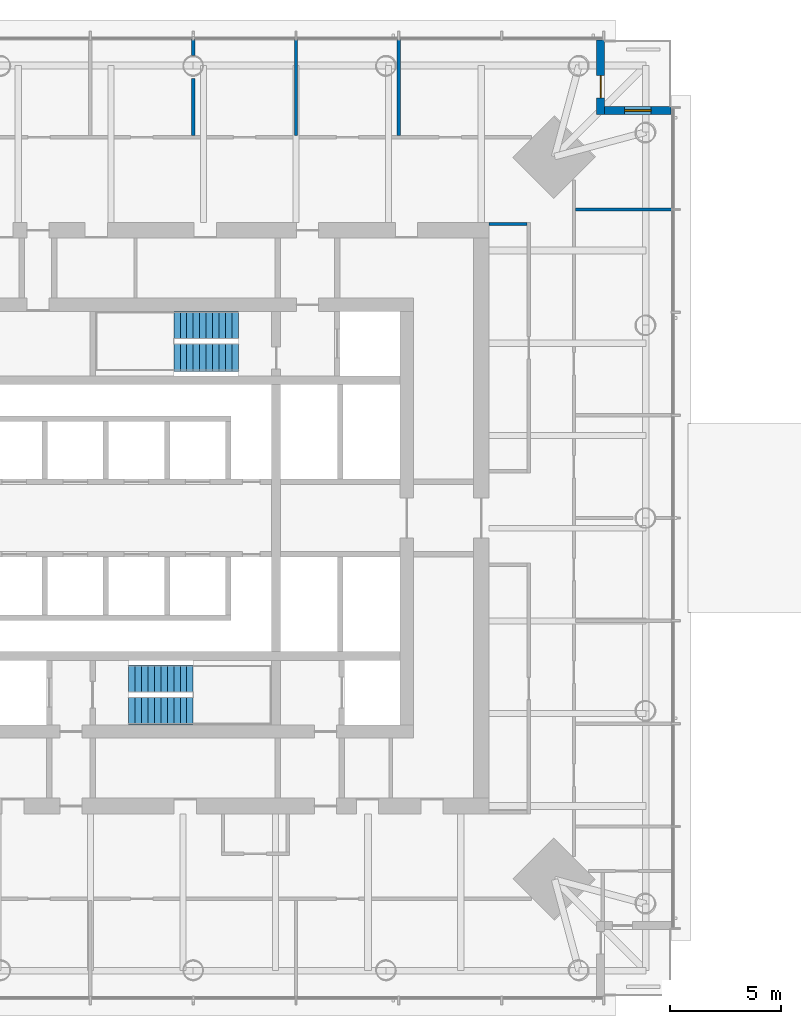
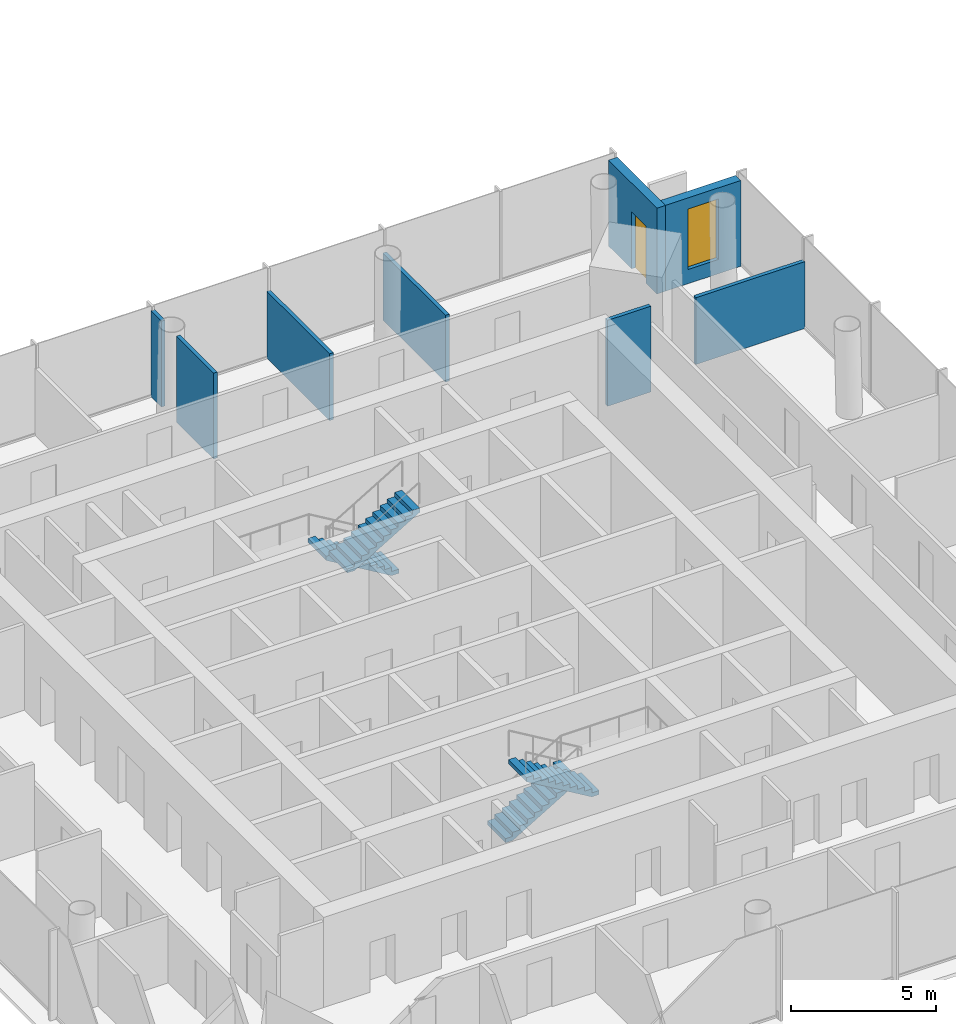
# One storey, part 9 of 16: 8 walls, 4 stair flights, 1 door, 1 window, 2 openings, 2 elements without a shape of their own.
"""IFC4 building model written with IfcOpenShell, lengths in metres."""

from ifc_helpers import new_model, si_unit, direction, frame, frame_2d, origin, place, context, subcontext, project, spatial, polyline, rectangle, outline, extrude, material, layer, layer_set, type_object, element, fill, aggregate, save


model = new_model("IFC4")

# Units and contexts
model_context = context("Model", 3, precision=1e-05, world=origin(), true_north=direction((0.0, 1.0)))
body_context = subcontext(model_context, "Body", "Model", "MODEL_VIEW")
ifc_project = project(units=[si_unit("LENGTHUNIT", "METRE"), si_unit("AREAUNIT", "SQUARE_METRE"), si_unit("VOLUMEUNIT", "CUBIC_METRE"), si_unit("PLANEANGLEUNIT", "RADIAN"), si_unit("MASSUNIT", "GRAM", prefix="KILO")], contexts=[model_context])

# Site, building, storey
site_placement = place(None, origin())
site = spatial("IfcSite", under=ifc_project, at=site_placement, CompositionType="ELEMENT")
building_placement = place(site_placement, origin())
building = spatial("IfcBuilding", under=site, at=building_placement, Name="Ostroluk Exchange", CompositionType="ELEMENT")
storey_placement = place(building_placement, frame((0.0, 0.0, 135.0)))
storey = spatial("IfcBuildingStorey", under=building, at=storey_placement, Name="L34", CompositionType="ELEMENT", Elevation=135.0)

# Wall, opening, door
ifc_material_1 = material(Name="Limestone", Category="masonry")
ifc_layer_1 = layer(ifc_material_1, 0.35009765625)
ifc_layer_set_1 = layer_set([ifc_layer_1], Name="Limestone facade wall 350")
wall_type_1 = type_object("IfcWallType", Name="Limestone facade wall 350", PredefinedType="SOLIDWALL", material=ifc_layer_set_1)
wall_1_placement = place(storey_placement, frame((63.324951171875, 67.5, 0.0), z_axis=(0.0, 0.0, 1.0), x_axis=(0.0, -1.0, 0.0)))
wall_1 = element("IfcWall", 1, at=wall_1_placement, inside=storey, type_object=wall_type_1, Name="Office tower NE corner wall L34 a", PredefinedType="SOLIDWALL", context=body_context, shape_type="SweptSolid", body=[
    extrude(rectangle(XDim=3.35009765625, YDim=0.35009765625, at=frame_2d((1.675048828125, 0.0))), origin(), (0.0, 0.0, 1.0), 3.6201171875),
])
opening_1_placement = place(wall_1_placement, frame((1.60009765625, 0.0, 0.0)))
opening_1 = element("IfcOpeningElement", 2, at=opening_1_placement, cuts=wall_1, Name="Opening D-B1", PredefinedType="OPENING", context=body_context, shape_type="SweptSolid", body=[
    extrude(rectangle(XDim=1.0, YDim=2.39990234375, at=frame_2d((0.5, 1.199951171875))), frame((0.0, 0.18505859375, 0.0), z_axis=(0.0, -1.0, 0.0), x_axis=(1.0, 0.0, 0.0)), (0.0, 0.0, 1.0), 0.3701171875),
])
ifc_material_2 = material(Name="Bronze framed glazed door", Category="aluminium")
door_type = type_object("IfcDoorType", Name="Balcony door 1000 x 2400", OperationType="SINGLE_SWING_LEFT", PredefinedType="DOOR", material=ifc_material_2)
door_placement = place(opening_1_placement, origin())
door = element("IfcDoor", 3, at=door_placement, inside=storey, type_object=door_type, Name="Office tower NE balcony door L34", OperationType="SINGLE_SWING_RIGHT", OverallHeight=2.39990234375, OverallWidth=1.0, PredefinedType="DOOR", context=body_context, shape_type="SweptSolid", body=[
    extrude(rectangle(XDim=1.0, YDim=2.39990234375, at=frame_2d((0.5, 1.199951171875))), frame((0.0, 0.02490234375, 0.0), z_axis=(0.0, -1.0, 0.0), x_axis=(1.0, 0.0, 0.0)), (0.0, 0.0, 1.0), 0.050048828125),
])
fill(opening_1, door)

# Wall, opening, window
wall_2_placement = place(storey_placement, frame((63.5, 64.324951171875, 0.0), z_axis=(0.0, 0.0, 1.0), x_axis=(1.0, 0.0, 0.0)))
wall_2 = element("IfcWall", 4, at=wall_2_placement, inside=storey, type_object=wall_type_1, Name="Office tower NE corner wall L34 b", PredefinedType="SOLIDWALL", context=body_context, shape_type="SweptSolid", body=[
    extrude(rectangle(XDim=3.0, YDim=0.35009765625, at=frame_2d((1.5, 0.0))), origin(), (0.0, 0.0, 1.0), 3.6201171875),
])
opening_2_placement = place(wall_2_placement, frame((0.89990234375, 0.0, 0.60009765625)))
opening_2 = element("IfcOpeningElement", 5, at=opening_2_placement, cuts=wall_2, Name="Opening WN-L1", PredefinedType="OPENING", context=body_context, shape_type="SweptSolid", body=[
    extrude(rectangle(XDim=1.199951171875, YDim=2.550048828125, at=frame_2d((0.60009765625, 1.27490234375))), frame((0.0, 0.18505859375, 0.0), z_axis=(0.0, -1.0, 0.0), x_axis=(1.0, 0.0, 0.0)), (0.0, 0.0, 1.0), 0.3701171875),
])
ifc_material_3 = material(Name="Laminated clear glass", Category="glass")
window_type = type_object("IfcWindowType", Name="Lancet window 1200 x 2550", PartitioningType="SINGLE_PANEL", PredefinedType="WINDOW", material=ifc_material_3)
window_placement = place(opening_2_placement, origin())
window = element("IfcWindow", 6, at=window_placement, inside=storey, type_object=window_type, Name="Office tower NE lancet window L34", OverallHeight=2.550048828125, OverallWidth=1.199951171875, PartitioningType="SINGLE_PANEL", PredefinedType="WINDOW", context=body_context, shape_type="SweptSolid", body=[
    extrude(rectangle(XDim=1.199951171875, YDim=2.550048828125, at=frame_2d((0.60009765625, 1.27490234375))), frame((0.0, 0.030029296875, 0.0), z_axis=(0.0, -1.0, 0.0), x_axis=(1.0, 0.0, 0.0)), (0.0, 0.0, 1.0), 0.06005859375),
])
fill(opening_2, window)

# Walls
ifc_material_4 = material(Name="Gypsum plasterboard partition", Category="gypsum")
ifc_layer_2 = layer(ifc_material_4, 0.14990234375)
ifc_layer_set_2 = layer_set([ifc_layer_2], Name="Plasterboard partition 150")
wall_type_2 = type_object("IfcWallType", Name="Plasterboard partition 150", PredefinedType="PARTITIONING", material=ifc_layer_set_2)
wall_3_placement = place(storey_placement, frame((58.300048828125, 59.22509765625, 0.0), z_axis=(0.0, 0.0, 1.0), x_axis=(1.0, 0.0, 0.0)))
element("IfcWall", 7, at=wall_3_placement, inside=storey, type_object=wall_type_2, Name="Partition", PredefinedType="PARTITIONING", context=body_context, shape_type="SweptSolid", body=[
    extrude(rectangle(XDim=1.724853515625, YDim=0.14990234375, at=frame_2d((0.8623046875, 0.0))), origin(), (0.0, 0.0, 1.0), 3.6201171875),
])
for number, where, z_axis, x_axis, name in (
    (8, (62.199951171875, 59.875, 0.0), (0.0, 0.0, 1.0), (1.0, 0.0, 0.0), "Partition"),
    (9, (54.25, 63.199951171875, 0.0), (0.0, 0.0, 1.0), (0.0, 1.0, 0.0), "Partition"),
    (10, (49.625, 63.199951171875, 0.0), (0.0, 0.0, 1.0), (0.0, 1.0, 0.0), "Partition"),
):
    element("IfcWall", number, at=place(storey_placement, frame(where, z_axis=z_axis, x_axis=x_axis)), inside=storey, type_object=wall_type_2, Name=name, PredefinedType="PARTITIONING", context=body_context, shape_type="SweptSolid", body=[
        extrude(rectangle(XDim=4.340087890625, YDim=0.14990234375, at=frame_2d((2.169921875, 0.0))), origin(), (0.0, 0.0, 1.0), 2.820068359375),
    ])
wall_4_placement = place(storey_placement, frame((45.0, 63.199951171875, 0.0), z_axis=(0.0, 0.0, 1.0), x_axis=(0.0, 1.0, 0.0)))
element("IfcWall", 11, at=wall_4_placement, inside=storey, type_object=wall_type_2, Name="Partition", PredefinedType="PARTITIONING", context=body_context, shape_type="SweptSolid", body=[
    extrude(rectangle(XDim=2.578857421875, YDim=0.14990234375, at=frame_2d((1.28955078125, 0.0))), origin(), (0.0, 0.0, 1.0), 3.6201171875),
])
wall_5_placement = place(storey_placement, frame((45.0, 66.814208984375, 0.0), z_axis=(0.0, 0.0, 1.0), x_axis=(0.0, 1.0, 0.0)))
element("IfcWall", 12, at=wall_5_placement, inside=storey, type_object=wall_type_2, Name="Partition", PredefinedType="PARTITIONING", context=body_context, shape_type="SweptSolid", body=[
    extrude(rectangle(XDim=0.725830078125, YDim=0.14990234375, at=frame_2d((0.36279296875, 0.0))), origin(), (0.0, 0.0, 1.0), 3.6201171875),
])

# Stair, stair flights
ifc_material_5 = material(Name="Concrete C30/37", Category="concrete")
stair_type = type_object("IfcStairType", Name="Exit stair half turn 3800", PredefinedType="HALF_TURN_STAIR", material=ifc_material_5)
stair_1_placement = place(storey_placement, origin())
stair_1 = element("IfcStair", 13, at=stair_1_placement, inside=storey, type_object=stair_type, Name="Stair T1-S1 L34", PredefinedType="HALF_TURN_STAIR")
ifc_material_6 = material(Name="Concrete C30/37", Category="concrete")
stair_flight_type = type_object("IfcStairFlightType", Name="Stair flight 11 risers 172.7 x 290", PredefinedType="STRAIGHT", material=ifc_material_6)
stair_flight_1_placement = place(storey_placement, frame((42.10009765625, 38.77490234375, 0.0), z_axis=(0.0, 0.0, 1.0), x_axis=(1.0, 0.0, 0.0)))
stair_flight_1 = element("IfcStairFlight", 14, at=stair_flight_1_placement, type_object=stair_flight_type, Name="T1-S1 flight 1", NumberOfRisers=11, NumberOfTreads=10, PredefinedType="STRAIGHT", RiserHeight=0.172727273, TreadLength=0.29, context=body_context, shape_type="SweptSolid", body=[
    extrude(outline(polyline([(0.0, 0.0), (0.0, 0.172607421875), (0.2900390625, 0.172607421875), (0.2900390625, 0.345458984375), (0.580078125, 0.345458984375), (0.580078125, 0.51806640625), (0.8701171875, 0.51806640625), (0.8701171875, 0.69091796875), (1.159912109375, 0.69091796875), (1.159912109375, 0.863525390625), (1.449951171875, 0.863525390625), (1.449951171875, 1.036376953125), (1.739990234375, 1.036376953125), (1.739990234375, 1.208984375), (2.030029296875, 1.208984375), (2.030029296875, 1.3818359375), (2.320068359375, 1.3818359375), (2.320068359375, 1.554443359375), (2.610107421875, 1.554443359375), (2.610107421875, 1.727294921875), (2.89990234375, 1.727294921875), (2.89990234375, 1.89990234375), (2.89990234375, 1.552734375), (0.29296875, 0.0), (0.0, 0.0)])), frame((0.0, 0.625, 0.0), z_axis=(0.0, -1.0, 0.0), x_axis=(1.0, 0.0, 0.0)), (0.0, 0.0, 1.0), 1.25),
])
stair_flight_2_placement = place(storey_placement, frame((45.0, 37.324951171875, 1.89990234375), z_axis=(0.0, 0.0, 1.0), x_axis=(-1.0, 0.0, 0.0)))
stair_flight_2 = element("IfcStairFlight", 15, at=stair_flight_2_placement, type_object=stair_flight_type, Name="T1-S1 flight 2", NumberOfRisers=11, NumberOfTreads=10, PredefinedType="STRAIGHT", RiserHeight=0.172727273, TreadLength=0.29, context=body_context, shape_type="SweptSolid", body=[
    extrude(outline(polyline([(0.0, 0.0), (0.0, 0.172607421875), (0.2900390625, 0.172607421875), (0.2900390625, 0.345458984375), (0.580078125, 0.345458984375), (0.580078125, 0.51806640625), (0.8701171875, 0.51806640625), (0.8701171875, 0.69091796875), (1.159912109375, 0.69091796875), (1.159912109375, 0.863525390625), (1.449951171875, 0.863525390625), (1.449951171875, 1.036376953125), (1.739990234375, 1.036376953125), (1.739990234375, 1.208984375), (2.030029296875, 1.208984375), (2.030029296875, 1.3818359375), (2.320068359375, 1.3818359375), (2.320068359375, 1.554443359375), (2.610107421875, 1.554443359375), (2.610107421875, 1.727294921875), (2.89990234375, 1.727294921875), (2.89990234375, 1.89990234375), (2.89990234375, 1.552734375), (0.29296875, 0.0), (0.0, 0.0)])), frame((0.0, 0.625, 0.0), z_axis=(0.0, -1.0, 0.0), x_axis=(1.0, 0.0, 0.0)), (0.0, 0.0, 1.0), 1.25),
])
aggregate(stair_1, [stair_flight_1, stair_flight_2])

stair_2_placement = place(storey_placement, origin())
stair_2 = element("IfcStair", 16, at=stair_2_placement, inside=storey, type_object=stair_type, Name="Stair T1-S2 L34", PredefinedType="HALF_TURN_STAIR")
stair_flight_3_placement = place(storey_placement, frame((47.030029296875, 54.675048828125, 0.0), z_axis=(0.0, 0.0, 1.0), x_axis=(-1.0, 0.0, 0.0)))
stair_flight_3 = element("IfcStairFlight", 17, at=stair_flight_3_placement, type_object=stair_flight_type, Name="T1-S2 flight 1", NumberOfRisers=11, NumberOfTreads=10, PredefinedType="STRAIGHT", RiserHeight=0.172727273, TreadLength=0.29, context=body_context, shape_type="SweptSolid", body=[
    extrude(outline(polyline([(0.0, 0.0), (0.0, 0.172607421875), (0.2900390625, 0.172607421875), (0.2900390625, 0.345458984375), (0.580078125, 0.345458984375), (0.580078125, 0.51806640625), (0.8701171875, 0.51806640625), (0.8701171875, 0.69091796875), (1.159912109375, 0.69091796875), (1.159912109375, 0.863525390625), (1.449951171875, 0.863525390625), (1.449951171875, 1.036376953125), (1.739990234375, 1.036376953125), (1.739990234375, 1.208984375), (2.030029296875, 1.208984375), (2.030029296875, 1.3818359375), (2.320068359375, 1.3818359375), (2.320068359375, 1.554443359375), (2.610107421875, 1.554443359375), (2.610107421875, 1.727294921875), (2.89990234375, 1.727294921875), (2.89990234375, 1.89990234375), (2.89990234375, 1.552734375), (0.29296875, 0.0), (0.0, 0.0)])), frame((0.0, 0.625, 0.0), z_axis=(0.0, -1.0, 0.0), x_axis=(1.0, 0.0, 0.0)), (0.0, 0.0, 1.0), 1.25),
])
stair_flight_4_placement = place(storey_placement, frame((44.1298828125, 53.22509765625, 1.89990234375), z_axis=(0.0, 0.0, 1.0), x_axis=(1.0, 0.0, 0.0)))
stair_flight_4 = element("IfcStairFlight", 18, at=stair_flight_4_placement, type_object=stair_flight_type, Name="T1-S2 flight 2", NumberOfRisers=11, NumberOfTreads=10, PredefinedType="STRAIGHT", RiserHeight=0.172727273, TreadLength=0.29, context=body_context, shape_type="SweptSolid", body=[
    extrude(outline(polyline([(0.0, 0.0), (0.0, 0.172607421875), (0.2900390625, 0.172607421875), (0.2900390625, 0.345458984375), (0.580078125, 0.345458984375), (0.580078125, 0.51806640625), (0.8701171875, 0.51806640625), (0.8701171875, 0.69091796875), (1.159912109375, 0.69091796875), (1.159912109375, 0.863525390625), (1.449951171875, 0.863525390625), (1.449951171875, 1.036376953125), (1.739990234375, 1.036376953125), (1.739990234375, 1.208984375), (2.030029296875, 1.208984375), (2.030029296875, 1.3818359375), (2.320068359375, 1.3818359375), (2.320068359375, 1.554443359375), (2.610107421875, 1.554443359375), (2.610107421875, 1.727294921875), (2.89990234375, 1.727294921875), (2.89990234375, 1.89990234375), (2.89990234375, 1.552734375), (0.29296875, 0.0), (0.0, 0.0)])), frame((0.0, 0.625, 0.0), z_axis=(0.0, -1.0, 0.0), x_axis=(1.0, 0.0, 0.0)), (0.0, 0.0, 1.0), 1.25),
])
aggregate(stair_2, [stair_flight_3, stair_flight_4])

save(model, "model.ifc")
